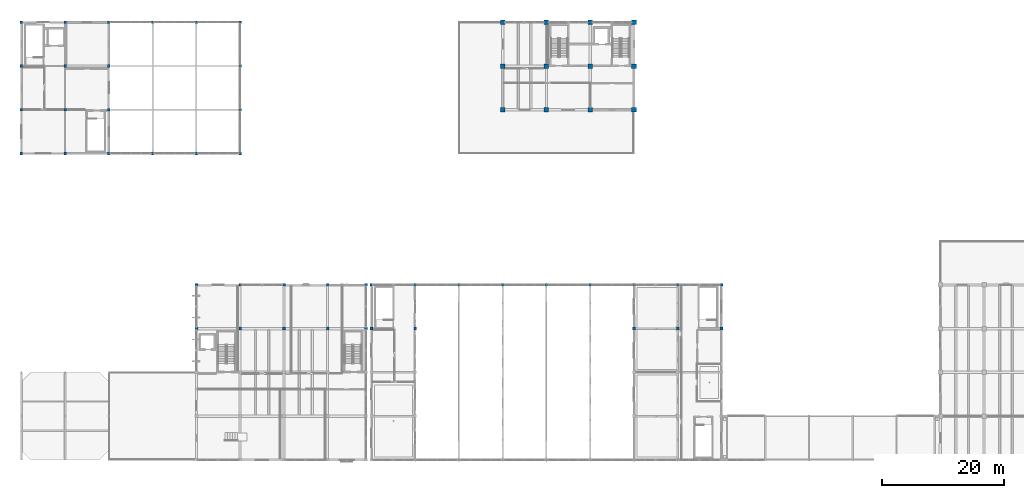
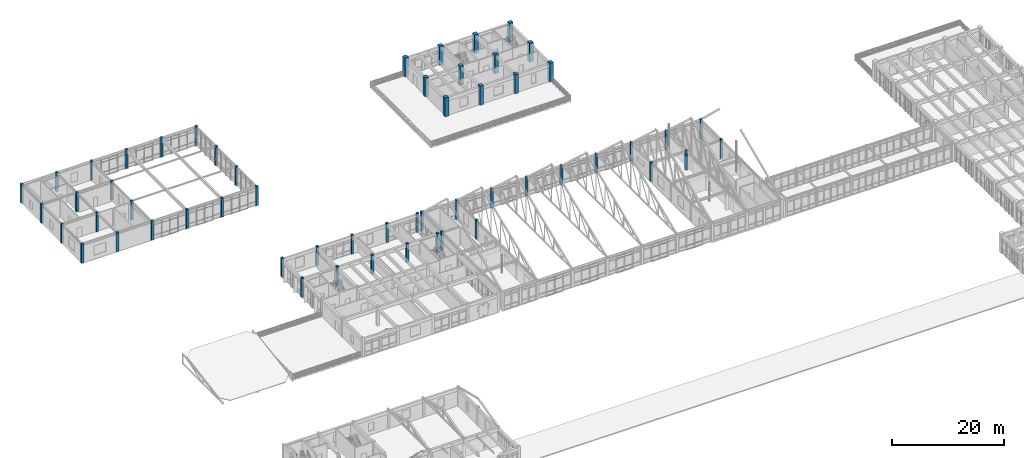
# One storey, part 3 of 136: 56 columns.
"""IFC4 building model written with IfcOpenShell, lengths in metres."""

from ifc_helpers import new_model, si_unit, direction, frame, origin, origin_2d, place, context, subcontext, project, spatial, rectangle, extrude, material, material_profile, profile_set, type_object, element, save


model = new_model("IFC4")

# Units and contexts
model_context = context("Model", 3, precision=1e-05, world=origin(), true_north=direction((0.0, 1.0)))
body_context = subcontext(model_context, "Body", "Model", "MODEL_VIEW")
ifc_project = project(units=[si_unit("LENGTHUNIT", "METRE"), si_unit("AREAUNIT", "SQUARE_METRE"), si_unit("VOLUMEUNIT", "CUBIC_METRE"), si_unit("PLANEANGLEUNIT", "RADIAN"), si_unit("MASSUNIT", "GRAM", prefix="KILO")], contexts=[model_context])

# Site, building, storey
site_placement = place(None, origin())
site = spatial("IfcSite", under=ifc_project, at=site_placement, CompositionType="ELEMENT")
building_placement = place(site_placement, origin())
building = spatial("IfcBuilding", under=site, at=building_placement, Name="Koriwan Promenade Central Fire Station", CompositionType="ELEMENT")
storey_placement = place(building_placement, frame((0.0, 0.0, 5.39990234375)))
storey = spatial("IfcBuildingStorey", under=building, at=storey_placement, Name="L01", CompositionType="ELEMENT", Elevation=5.39990234375)

# Columns
ifc_material = material(Name="Concrete C40/50", Category="concrete")
ifc_material_profile_1 = material_profile(ifc_material, rectangle(XDim=0.449951171875, YDim=0.449951171875, at=origin_2d()), Name="RC-COL-450x450")
ifc_profile_set_1 = profile_set([ifc_material_profile_1], Name="Concrete C40/50")
column_type_1 = type_object("IfcColumnType", Name="Column_RC-COL-450x450", PredefinedType="COLUMN", material=ifc_profile_set_1)
for number, where, z_axis, x_axis, name in (
    (1, (57.60009765625, 64.800048828125, 0.0), (0.0, 0.0, 1.0), (1.0, 0.0, 0.0), "V1 L01 column (57.6, 64.8)"),
    (2, (57.60009765625, 72.0, 0.0), (0.0, 0.0, 1.0), (1.0, 0.0, 0.0), "V1 L01 column (57.6, 72.0)"),
    (3, (64.800048828125, 64.800048828125, 0.0), (0.0, 0.0, 1.0), (1.0, 0.0, 0.0), "V1 L01 column (64.8, 64.8)"),
    (4, (64.800048828125, 72.0, 0.0), (0.0, 0.0, 1.0), (1.0, 0.0, 0.0), "V1 L01 column (64.8, 72.0)"),
    (5, (72.0, 72.0, 0.0), (0.0, 0.0, 1.0), (1.0, 0.0, 0.0), "V1 L01 column (72.0, 72.0)"),
    (6, (79.199951171875, 72.0, 0.0), (0.0, 0.0, 1.0), (1.0, 0.0, 0.0), "V1 L01 column (79.2, 72.0)"),
    (7, (86.39990234375, 72.0, 0.0), (0.0, 0.0, 1.0), (1.0, 0.0, 0.0), "V1 L01 column (86.4, 72.0)"),
    (8, (93.60009765625, 72.0, 0.0), (0.0, 0.0, 1.0), (1.0, 0.0, 0.0), "V1 L01 column (93.6, 72.0)"),
    (9, (100.800048828125, 64.800048828125, 0.0), (0.0, 0.0, 1.0), (1.0, 0.0, 0.0), "V1 L01 column (100.8, 64.8)"),
    (10, (100.800048828125, 72.0, 0.0), (0.0, 0.0, 1.0), (1.0, 0.0, 0.0), "V1 L01 column (100.8, 72.0)"),
    (11, (108.0, 64.800048828125, 0.0), (0.0, 0.0, 1.0), (1.0, 0.0, 0.0), "V1 L01 column (108.0, 64.8)"),
    (12, (108.0, 72.0, 0.0), (0.0, 0.0, 1.0), (1.0, 0.0, 0.0), "V1 L01 column (108.0, 72.0)"),
    (13, (115.199951171875, 64.800048828125, 0.0), (0.0, 0.0, 1.0), (1.0, 0.0, 0.0), "V1 L01 column (115.2, 64.8)"),
    (14, (115.199951171875, 72.0, 0.0), (0.0, 0.0, 1.0), (1.0, 0.0, 0.0), "V1 L01 column (115.2, 72.0)"),
    (15, (28.800048828125, 64.800048828125, 0.0), (0.0, 0.0, 1.0), (1.0, 0.0, 0.0), "V4 L01 column (28.8, 64.8)"),
    (16, (28.800048828125, 72.0, 0.0), (0.0, 0.0, 1.0), (1.0, 0.0, 0.0), "V4 L01 column (28.8, 72.0)"),
    (17, (36.0, 64.800048828125, 0.0), (0.0, 0.0, 1.0), (1.0, 0.0, 0.0), "V4 L01 column (36.0, 64.8)"),
    (18, (36.0, 72.0, 0.0), (0.0, 0.0, 1.0), (1.0, 0.0, 0.0), "V4 L01 column (36.0, 72.0)"),
    (19, (43.199951171875, 64.800048828125, 0.0), (0.0, 0.0, 1.0), (1.0, 0.0, 0.0), "V4 L01 column (43.2, 64.8)"),
    (20, (43.199951171875, 72.0, 0.0), (0.0, 0.0, 1.0), (1.0, 0.0, 0.0), "V4 L01 column (43.2, 72.0)"),
    (21, (50.39990234375, 64.800048828125, 0.0), (0.0, 0.0, 1.0), (1.0, 0.0, 0.0), "V4 L01 column (50.4, 64.8)"),
    (22, (50.39990234375, 72.0, 0.0), (0.0, 0.0, 1.0), (1.0, 0.0, 0.0), "V4 L01 column (50.4, 72.0)"),
    (23, (56.699951171875, 64.800048828125, 0.0), (0.0, 0.0, 1.0), (1.0, 0.0, 0.0), "V4 L01 column (56.7, 64.8)"),
    (24, (56.699951171875, 72.0, 0.0), (0.0, 0.0, 1.0), (1.0, 0.0, 0.0), "V4 L01 column (56.7, 72.0)"),
    (25, (0.0, 93.60009765625, 0.0), (0.0, 0.0, 1.0), (1.0, 0.0, 0.0), "V6 L01 column (0.0, 93.6)"),
    (26, (0.0, 100.800048828125, 0.0), (0.0, 0.0, 1.0), (1.0, 0.0, 0.0), "V6 L01 column (0.0, 100.8)"),
    (27, (0.0, 108.0, 0.0), (0.0, 0.0, 1.0), (1.0, 0.0, 0.0), "V6 L01 column (0.0, 108.0)"),
    (28, (0.0, 115.199951171875, 0.0), (0.0, 0.0, 1.0), (1.0, 0.0, 0.0), "V6 L01 column (0.0, 115.2)"),
    (29, (7.199951171875, 93.60009765625, 0.0), (0.0, 0.0, 1.0), (1.0, 0.0, 0.0), "V6 L01 column (7.2, 93.6)"),
    (30, (7.199951171875, 100.800048828125, 0.0), (0.0, 0.0, 1.0), (1.0, 0.0, 0.0), "V6 L01 column (7.2, 100.8)"),
    (31, (7.199951171875, 108.0, 0.0), (0.0, 0.0, 1.0), (1.0, 0.0, 0.0), "V6 L01 column (7.2, 108.0)"),
    (32, (7.199951171875, 115.199951171875, 0.0), (0.0, 0.0, 1.0), (1.0, 0.0, 0.0), "V6 L01 column (7.2, 115.2)"),
    (33, (14.39990234375, 93.60009765625, 0.0), (0.0, 0.0, 1.0), (1.0, 0.0, 0.0), "V6 L01 column (14.4, 93.6)"),
    (34, (14.39990234375, 100.800048828125, 0.0), (0.0, 0.0, 1.0), (1.0, 0.0, 0.0), "V6 L01 column (14.4, 100.8)"),
    (35, (14.39990234375, 108.0, 0.0), (0.0, 0.0, 1.0), (1.0, 0.0, 0.0), "V6 L01 column (14.4, 108.0)"),
    (36, (14.39990234375, 115.199951171875, 0.0), (0.0, 0.0, 1.0), (1.0, 0.0, 0.0), "V6 L01 column (14.4, 115.2)"),
    (37, (21.60009765625, 93.60009765625, 0.0), (0.0, 0.0, 1.0), (1.0, 0.0, 0.0), "V6 L01 column (21.6, 93.6)"),
    (38, (21.60009765625, 115.199951171875, 0.0), (0.0, 0.0, 1.0), (1.0, 0.0, 0.0), "V6 L01 column (21.6, 115.2)"),
    (39, (28.800048828125, 93.60009765625, 0.0), (0.0, 0.0, 1.0), (1.0, 0.0, 0.0), "V6 L01 column (28.8, 93.6)"),
    (40, (28.800048828125, 115.199951171875, 0.0), (0.0, 0.0, 1.0), (1.0, 0.0, 0.0), "V6 L01 column (28.8, 115.2)"),
    (41, (36.0, 93.60009765625, 0.0), (0.0, 0.0, 1.0), (1.0, 0.0, 0.0), "V6 L01 column (36.0, 93.6)"),
    (42, (36.0, 100.800048828125, 0.0), (0.0, 0.0, 1.0), (1.0, 0.0, 0.0), "V6 L01 column (36.0, 100.8)"),
    (43, (36.0, 108.0, 0.0), (0.0, 0.0, 1.0), (1.0, 0.0, 0.0), "V6 L01 column (36.0, 108.0)"),
    (44, (36.0, 115.199951171875, 0.0), (0.0, 0.0, 1.0), (1.0, 0.0, 0.0), "V6 L01 column (36.0, 115.2)"),
):
    element("IfcColumn", number, at=place(storey_placement, frame(where, z_axis=z_axis, x_axis=x_axis)), inside=storey, type_object=column_type_1, Name=name, PredefinedType="COLUMN", context=body_context, shape_type="SweptSolid", body=[
        extrude(rectangle(XDim=0.449951171875, YDim=0.449951171875, at=origin_2d()), origin(), (0.0, 0.0, 1.0), 4.2001953125),
    ])
ifc_material_profile_2 = material_profile(ifc_material, rectangle(XDim=0.75, YDim=0.75, at=origin_2d()), Name="RC-COL-750x750")
ifc_profile_set_2 = profile_set([ifc_material_profile_2], Name="Concrete C40/50")
column_type_2 = type_object("IfcColumnType", Name="Column_RC-COL-750x750", PredefinedType="COLUMN", material=ifc_profile_set_2)
for number, where, z_axis, x_axis, name in (
    (45, (79.199951171875, 100.800048828125, 0.0), (0.0, 0.0, 1.0), (1.0, 0.0, 0.0), "V2 L01 column (79.2, 100.8)"),
    (46, (79.199951171875, 108.0, 0.0), (0.0, 0.0, 1.0), (1.0, 0.0, 0.0), "V2 L01 column (79.2, 108.0)"),
    (47, (79.199951171875, 115.199951171875, 0.0), (0.0, 0.0, 1.0), (1.0, 0.0, 0.0), "V2 L01 column (79.2, 115.2)"),
    (48, (86.39990234375, 100.800048828125, 0.0), (0.0, 0.0, 1.0), (1.0, 0.0, 0.0), "V2 L01 column (86.4, 100.8)"),
    (49, (86.39990234375, 108.0, 0.0), (0.0, 0.0, 1.0), (1.0, 0.0, 0.0), "V2 L01 column (86.4, 108.0)"),
    (50, (86.39990234375, 115.199951171875, 0.0), (0.0, 0.0, 1.0), (1.0, 0.0, 0.0), "V2 L01 column (86.4, 115.2)"),
    (51, (93.60009765625, 100.800048828125, 0.0), (0.0, 0.0, 1.0), (1.0, 0.0, 0.0), "V2 L01 column (93.6, 100.8)"),
    (52, (93.60009765625, 108.0, 0.0), (0.0, 0.0, 1.0), (1.0, 0.0, 0.0), "V2 L01 column (93.6, 108.0)"),
    (53, (93.60009765625, 115.199951171875, 0.0), (0.0, 0.0, 1.0), (1.0, 0.0, 0.0), "V2 L01 column (93.6, 115.2)"),
    (54, (100.800048828125, 100.800048828125, 0.0), (0.0, 0.0, 1.0), (1.0, 0.0, 0.0), "V2 L01 column (100.8, 100.8)"),
    (55, (100.800048828125, 108.0, 0.0), (0.0, 0.0, 1.0), (1.0, 0.0, 0.0), "V2 L01 column (100.8, 108.0)"),
    (56, (100.800048828125, 115.199951171875, 0.0), (0.0, 0.0, 1.0), (1.0, 0.0, 0.0), "V2 L01 column (100.8, 115.2)"),
):
    element("IfcColumn", number, at=place(storey_placement, frame(where, z_axis=z_axis, x_axis=x_axis)), inside=storey, type_object=column_type_2, Name=name, PredefinedType="COLUMN", context=body_context, shape_type="SweptSolid", body=[
        extrude(rectangle(XDim=0.75, YDim=0.75, at=origin_2d()), origin(), (0.0, 0.0, 1.0), 4.2001953125),
    ])

save(model, "model.ifc")
